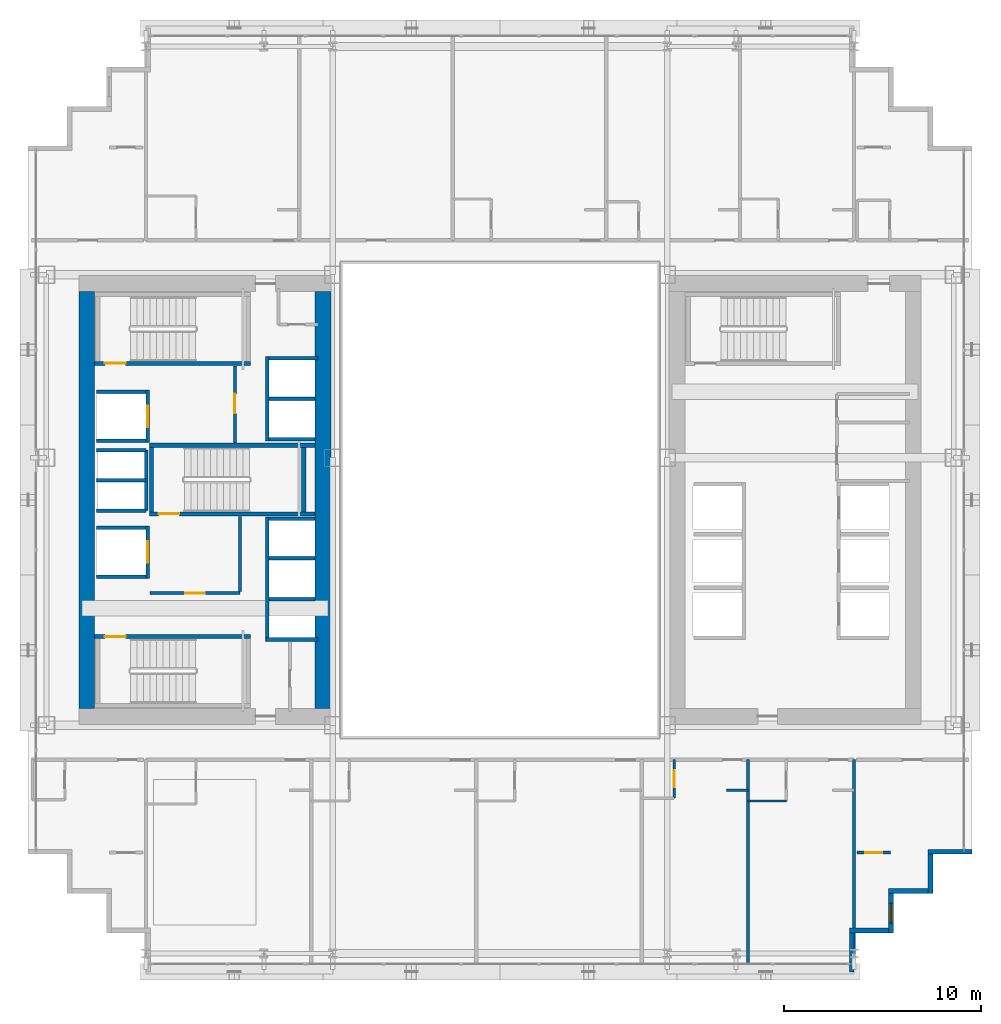
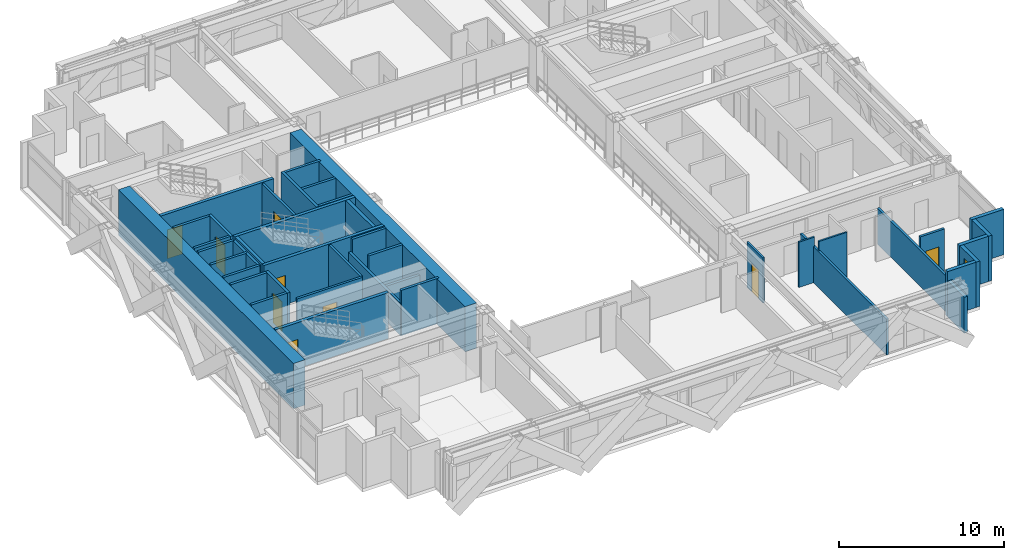
# One storey, part 28 of 35: 42 walls, 9 doors, 1 window, 10 openings.
"""IFC4 building model written with IfcOpenShell, lengths in metres."""

import ifcopenshell
import ifcopenshell.guid

model = None  # the IFC model being written
_history = None  # IfcOwnerHistory: only IFC2X3 demands one
_inside = {}  # id of a spatial element -> (the spatial element, [elements in it])
_under = {}  # id of a project, library or spatial element -> (it, [spatial elements below it])
_declared = {}  # id of a project -> (the project, [libraries it declares])
_typed = {}  # id of a type object -> (the type object, [elements of that type])
_made_of = {}  # id of a material, layer set ... -> (it, [elements and type objects made of it])


def new_model(schema):
    """Start an empty IFC model of exactly this schema.

    Asked for "IFC4X3", IfcOpenShell would pick the latest addendum, in which some entities
    have other attributes; the version numbers below select the first issue.
    IFC2X3 requires an IfcOwnerHistory on every rooted entity: one is made here for all.
    """
    global model, _history
    if schema == "IFC4X3":
        model = ifcopenshell.file(schema_version=(4, 3, 0, 0))
    else:
        model = ifcopenshell.file(schema=schema)
    _inside.clear()
    _under.clear()
    _declared.clear()
    _typed.clear()
    _made_of.clear()
    _history = None
    if model.schema == "IFC2X3":
        org = make("IfcOrganization", Name="unknown")
        user = make(
            "IfcPersonAndOrganization",
            ThePerson=make("IfcPerson", FamilyName="unknown"),
            TheOrganization=org,
        )
        app = make(
            "IfcApplication",
            ApplicationDeveloper=org,
            Version="unknown",
            ApplicationFullName="unknown",
            ApplicationIdentifier="unknown",
        )
        _history = make(
            "IfcOwnerHistory",
            OwningUser=user,
            OwningApplication=app,
            ChangeAction="ADDED",
            CreationDate=0,
        )
    return model


def make(cls, **values):
    """One entity of the class cls with the attributes given. An attribute that is None is left unset."""
    return model.create_entity(
        cls, **{name: value for name, value in values.items() if value is not None}
    )


def rooted(cls, **values):
    """An entity with a GlobalId (a new one), such as an element, a storey or a relation."""
    return make(cls, GlobalId=ifcopenshell.guid.new(), OwnerHistory=_history, **values)


def si_unit(unit_type, name, prefix=None):
    """IfcSIUnit, for example si_unit("LENGTHUNIT", "METRE", prefix="MILLI")."""
    return make("IfcSIUnit", UnitType=unit_type, Prefix=prefix, Name=name)


def assignment(units):
    """IfcUnitAssignment: the units of a project."""
    return None if units is None else make("IfcUnitAssignment", Units=units)


def point(xyz):
    """IfcCartesianPoint."""
    return None if xyz is None else make("IfcCartesianPoint", Coordinates=xyz)


def direction(xyz):
    """IfcDirection."""
    return None if xyz is None else make("IfcDirection", DirectionRatios=xyz)


def frame(location, z_axis=None, x_axis=None):
    """IfcAxis2Placement3D, a coordinate frame: its origin and axes. An axis left out is left unset."""
    return make(
        "IfcAxis2Placement3D",
        Location=point(location),
        Axis=direction(z_axis),
        RefDirection=direction(x_axis),
    )


def frame_2d(location, x_axis=None):
    """IfcAxis2Placement2D, a coordinate frame in the plane: its origin and x axis."""
    return make(
        "IfcAxis2Placement2D", Location=point(location), RefDirection=direction(x_axis)
    )


def origin():
    """The frame at (0, 0, 0) with its axes left unset."""
    return frame((0.0, 0.0, 0.0))


def place(relative_to, where):
    """IfcLocalPlacement: puts the frame where relative to a parent placement (None: the world)."""
    return make(
        "IfcLocalPlacement", PlacementRelTo=relative_to, RelativePlacement=where
    )


def context(
    kind, dimensions, precision=None, world=None, true_north=None, identifier=None
):
    """IfcGeometricRepresentationContext, for example the 3D "Model" context."""
    return make(
        "IfcGeometricRepresentationContext",
        ContextIdentifier=identifier,
        ContextType=kind,
        CoordinateSpaceDimension=dimensions,
        Precision=precision,
        WorldCoordinateSystem=world,
        TrueNorth=true_north,
    )


def subcontext(parent, identifier, kind, view, scale=None):
    """IfcGeometricRepresentationSubContext, for example "Body" below "Model"."""
    return make(
        "IfcGeometricRepresentationSubContext",
        ContextIdentifier=identifier,
        ContextType=kind,
        ParentContext=parent,
        TargetScale=scale,
        TargetView=view,
    )


def project(units=None, contexts=None):
    """IfcProject with its units and contexts."""
    return rooted(
        "IfcProject",
        Name="project",
        RepresentationContexts=contexts,
        UnitsInContext=assignment(units),
    )


def spatial(cls, under=None, at=None, **own):
    """A site, building, storey or space (cls), placed at a placement, below another one or the project."""
    s = rooted(cls, ObjectPlacement=at, **own)
    if under is not None:
        _under.setdefault(under.id(), (under, []))[1].append(s)
    return s


def profile(cls, at=None, kind="AREA", **sizes):
    """A parametric profile (cls). Its sizes go by their IFC names, for example OverallWidth=200.0."""
    return make(cls, ProfileType=kind, Position=at, **sizes)


def rectangle(**sizes):
    """IfcRectangleProfileDef."""
    return profile("IfcRectangleProfileDef", **sizes)


def extrude(swept, where, along, depth):
    """IfcExtrudedAreaSolid: the profile swept, set in the frame where, extruded along a direction by depth."""
    return make(
        "IfcExtrudedAreaSolid",
        SweptArea=swept,
        Position=where,
        ExtrudedDirection=direction(along),
        Depth=depth,
    )


def shape(context_of_items, identifier, shape_type, items):
    """IfcShapeRepresentation: the items that make up one representation, for example the "Body"."""
    return make(
        "IfcShapeRepresentation",
        ContextOfItems=context_of_items,
        RepresentationIdentifier=identifier,
        RepresentationType=shape_type,
        Items=items,
    )


def source(mapping_origin, context_of_items, identifier, shape_type, items):
    """IfcRepresentationMap: a shape defined once, which mapped items show again and again."""
    return make(
        "IfcRepresentationMap",
        MappingOrigin=mapping_origin,
        MappedRepresentation=shape(context_of_items, identifier, shape_type, items),
    )


def transform(
    local_origin,
    x_axis=None,
    y_axis=None,
    z_axis=None,
    scale=None,
    scale2=None,
    scale3=None,
    uniform=True,
):
    """IfcCartesianTransformationOperator3D, or its non-uniform kind. x_axis, y_axis, z_axis: its Axis1, 2, 3."""
    if uniform:
        return make(
            "IfcCartesianTransformationOperator3D",
            Axis1=direction(x_axis),
            Axis2=direction(y_axis),
            LocalOrigin=point(local_origin),
            Scale=scale,
            Axis3=direction(z_axis),
        )
    return make(
        "IfcCartesianTransformationOperator3DnonUniform",
        Axis1=direction(x_axis),
        Axis2=direction(y_axis),
        LocalOrigin=point(local_origin),
        Scale=scale,
        Axis3=direction(z_axis),
        Scale2=scale2,
        Scale3=scale3,
    )


def mapped(mapping_source, mapping_target):
    """IfcMappedItem: shows the shape of a source again, moved by a transform."""
    return make(
        "IfcMappedItem", MappingSource=mapping_source, MappingTarget=mapping_target
    )


def material(Name=None, Category=None):
    """IfcMaterial."""
    return make("IfcMaterial", Name=Name, Category=Category)


def layer(
    of_material, thickness, ventilated=None, Name=None, Category=None, Priority=None
):
    """IfcMaterialLayer: one layer of a wall or slab, of a material (None: an air gap)."""
    return make(
        "IfcMaterialLayer",
        Material=of_material,
        LayerThickness=thickness,
        IsVentilated=ventilated,
        Name=Name,
        Category=Category,
        Priority=Priority,
    )


def layer_set(layers, Name=None):
    """IfcMaterialLayerSet."""
    return make("IfcMaterialLayerSet", MaterialLayers=layers, LayerSetName=Name)


def made_of(thing, what):
    """Note that an element or type object is made of a material, layer set ...; save() writes the relation."""
    if what is not None:
        _made_of.setdefault(what.id(), (what, []))[1].append(thing)
    return thing


def type_object(cls, material=None, **own):
    """A type object (cls), such as IfcWallType, which elements share."""
    return made_of(rooted(cls, **own), material)


def element(
    cls,
    number,
    at=None,
    inside=None,
    cuts=None,
    type_object=None,
    material=None,
    context=None,
    identifier="Body",
    shape_type=None,
    held_by="IfcProductDefinitionShape",
    body=None,
    shapes=None,
    **own,
):
    """One element of the class cls, such as IfcWall. Its Tag is "e" and its number.

    at: its placement. inside: the storey or other place that contains it. cuts: it is an
    opening in that element (IfcRelVoidsElement). A single representation is given by context,
    identifier, shape_type and body (its items); several are given by shapes. held_by: the class
    of the entity that holds the representations. save() writes the other relations.
    """
    e = rooted(cls, Tag="e%d" % number, ObjectPlacement=at, **own)
    if body is not None:
        shapes = [shape(context, identifier, shape_type, body)]
    if shapes is not None:
        e.Representation = make(held_by, Representations=shapes)
    if inside is not None:
        _inside.setdefault(inside.id(), (inside, []))[1].append(e)
    if cuts is not None:
        rooted(
            "IfcRelVoidsElement", RelatingBuildingElement=cuts, RelatedOpeningElement=e
        )
    if type_object is not None:
        _typed.setdefault(type_object.id(), (type_object, []))[1].append(e)
    return made_of(e, material)


def fill(opening, filler):
    """IfcRelFillsElement: the door or window that sits in an opening."""
    return rooted(
        "IfcRelFillsElement",
        RelatingOpeningElement=opening,
        RelatedBuildingElement=filler,
    )


def aggregate(whole, parts):
    """IfcRelAggregates: a whole, such as a stair, and the parts it consists of."""
    return rooted("IfcRelAggregates", RelatingObject=whole, RelatedObjects=parts)


def save(model, path):
    """Write the relations noted so far, then the file.

    IfcRelAggregates (storeys below a building ...), IfcRelContainedInSpatialStructure (elements
    in a storey), IfcRelDefinesByType, IfcRelAssociatesMaterial and IfcRelDeclares: one each for
    every whole, place, type object, material and project.
    """
    for whole, parts in _under.values():
        aggregate(whole, parts)
    for where, things in _inside.values():
        rooted(
            "IfcRelContainedInSpatialStructure",
            RelatedElements=things,
            RelatingStructure=where,
        )
    for kind, things in _typed.values():
        rooted("IfcRelDefinesByType", RelatedObjects=things, RelatingType=kind)
    for what, things in _made_of.values():
        rooted("IfcRelAssociatesMaterial", RelatedObjects=things, RelatingMaterial=what)
    for by, libraries in _declared.values():
        rooted("IfcRelDeclares", RelatingContext=by, RelatedDefinitions=libraries)
    model.write(path)


model = new_model("IFC4")

# Units and contexts
model_context = context("Model", 3, precision=1e-05, world=origin(), true_north=direction((0.0, 1.0)))
body_context = subcontext(model_context, "Body", "Model", "MODEL_VIEW")
ifc_project = project(units=[si_unit("LENGTHUNIT", "METRE"), si_unit("AREAUNIT", "SQUARE_METRE"), si_unit("VOLUMEUNIT", "CUBIC_METRE"), si_unit("PLANEANGLEUNIT", "RADIAN"), si_unit("MASSUNIT", "GRAM", prefix="KILO")], contexts=[model_context])

# Site, building, storey
site_placement = place(None, origin())
site = spatial("IfcSite", under=ifc_project, at=site_placement, CompositionType="ELEMENT")
building_placement = place(site_placement, origin())
building = spatial("IfcBuilding", under=site, at=building_placement, Name="Ocotamira Hotel", CompositionType="ELEMENT")
storey_placement = place(building_placement, frame((0.0, 0.0, 63.60009765625)))
storey = spatial("IfcBuildingStorey", under=building, at=storey_placement, Name="L15", CompositionType="ELEMENT", Elevation=63.60009765625)

# Walls
ifc_material_1 = material(Name="Concrete C60/75", Category="concrete")
ifc_layer_1 = layer(ifc_material_1, 0.800048828125)
ifc_layer_set_1 = layer_set([ifc_layer_1], Name="Concrete C60/75")
wall_type_1 = type_object("IfcWallType", Name="WL-CORE-800", PredefinedType="SHEAR", material=ifc_layer_set_1)
for number, where, z_axis, x_axis, name in (
    (1, (11.0, 15.39990234375, 0.0), (0.0, 0.0, 1.0), (0.0, 1.0, 0.0), "L15 Shear Core Wall WCORE-W"),
    (2, (23.0, 15.39990234375, 0.0), (0.0, 0.0, 1.0), (0.0, 1.0, 0.0), "L15 Shear Core Wall WCORE-E"),
):
    element("IfcWall", number, at=place(storey_placement, frame(where, z_axis=z_axis, x_axis=x_axis)), inside=storey, type_object=wall_type_1, Name=name, PredefinedType="SHEAR", context=body_context, shape_type="SweptSolid", body=[
        extrude(rectangle(XDim=21.2001953125, YDim=0.800048828125, at=frame_2d((10.60009765625, 0.0))), origin(), (0.0, 0.0, 1.0), 3.349853515625),
    ])
ifc_material_2 = material(Name="Precast concrete C45/55", Category="concrete")
ifc_layer_2 = layer(ifc_material_2, 0.25)
ifc_layer_set_2 = layer_set([ifc_layer_2], Name="Precast concrete C45/55")
wall_type_2 = type_object("IfcWallType", Name="WL-EXT-SER-250", PredefinedType="SOLIDWALL", material=ifc_layer_set_2)
wall_1_placement = place(storey_placement, frame((49.875, 2.0, 0.0), z_axis=(0.0, 0.0, 1.0), x_axis=(0.0, 1.0, 0.0)))
element("IfcWall", 3, at=wall_1_placement, inside=storey, type_object=wall_type_2, Name="L15 Serrated Corner Wall 01", PredefinedType="SOLIDWALL", context=body_context, shape_type="SweptSolid", body=[
    extrude(rectangle(XDim=2.0, YDim=0.25, at=frame_2d((1.0, 0.0))), origin(), (0.0, 0.0, 1.0), 2.656982421875),
])
wall_2_placement = place(storey_placement, frame((49.75, 4.125, 0.0), z_axis=(0.0, 0.0, 1.0), x_axis=(1.0, 0.0, 0.0)))
element("IfcWall", 4, at=wall_2_placement, inside=storey, type_object=wall_type_2, Name="L15 Serrated Corner Wall 02", PredefinedType="SOLIDWALL", context=body_context, shape_type="SweptSolid", body=[
    extrude(rectangle(XDim=2.0, YDim=0.25, at=frame_2d((1.0, 0.0))), origin(), (0.0, 0.0, 1.0), 3.349853515625),
])

# Wall, opening, window
wall_3_placement = place(storey_placement, frame((51.875, 4.0, 0.0), z_axis=(0.0, 0.0, 1.0), x_axis=(0.0, 1.0, 0.0)))
wall_3 = element("IfcWall", 5, at=wall_3_placement, inside=storey, type_object=wall_type_2, Name="L15 Serrated Corner Wall 03", PredefinedType="SOLIDWALL", context=body_context, shape_type="SweptSolid", body=[
    extrude(rectangle(XDim=2.0, YDim=0.25, at=frame_2d((1.0, 0.0))), origin(), (0.0, 0.0, 1.0), 3.349853515625),
])
opening_1_placement = place(wall_3_placement, frame((0.5, 0.0, 0.85009765625)))
opening_1 = element("IfcOpeningElement", 6, at=opening_1_placement, cuts=wall_3, Name="Opening WN-2", PredefinedType="OPENING", context=body_context, shape_type="SweptSolid", body=[
    extrude(rectangle(XDim=1.0, YDim=1.89990234375, at=frame_2d((0.5, 0.949951171875))), frame((0.0, 0.135009765625, 0.0), z_axis=(0.0, -1.0, 0.0), x_axis=(1.0, 0.0, 0.0)), (0.0, 0.0, 1.0), 0.27001953125),
])
ifc_material_3 = material(Name="Double-silver low-E solar glass", Category="glass")
window_type = type_object("IfcWindowType", Name="WIN-SER-1100", PartitioningType="SINGLE_PANEL", PredefinedType="WINDOW", material=ifc_material_3)
shared_shape_1 = source(origin(), body_context, "Body", "SweptSolid", [
    extrude(rectangle(XDim=1.0, YDim=1.89990234375, at=frame_2d((0.5, 0.949951171875))), frame((0.0, 0.030029296875, 0.0), z_axis=(0.0, -1.0, 0.0), x_axis=(1.0, 0.0, 0.0)), (0.0, 0.0, 1.0), 0.06005859375),
])
window_placement = place(opening_1_placement, origin())
window = element("IfcWindow", 7, at=window_placement, inside=storey, type_object=window_type, Name="L15 Serrated Corner Window 03", OverallHeight=1.89990234375, OverallWidth=1.0, PartitioningType="SINGLE_PANEL", PredefinedType="WINDOW", context=body_context, shape_type="MappedRepresentation", body=[
    mapped(shared_shape_1, transform((0.0, 0.0, 0.0), scale=1.0)),
])
fill(opening_1, window)

# Walls
for number, where, z_axis, x_axis, name in (
    (8, (51.75, 6.125, 0.0), (0.0, 0.0, 1.0), (1.0, 0.0, 0.0), "L15 Serrated Corner Wall 04"),
    (9, (53.875, 6.0, 0.0), (0.0, 0.0, 1.0), (0.0, 1.0, 0.0), "L15 Serrated Corner Wall 05"),
):
    element("IfcWall", number, at=place(storey_placement, frame(where, z_axis=z_axis, x_axis=x_axis)), inside=storey, type_object=wall_type_2, Name=name, PredefinedType="SOLIDWALL", context=body_context, shape_type="SweptSolid", body=[
        extrude(rectangle(XDim=2.0, YDim=0.25, at=frame_2d((1.0, 0.0))), origin(), (0.0, 0.0, 1.0), 3.349853515625),
    ])
wall_4_placement = place(storey_placement, frame((53.75, 8.125, 0.0), z_axis=(0.0, 0.0, 1.0), x_axis=(1.0, 0.0, 0.0)))
element("IfcWall", 10, at=wall_4_placement, inside=storey, type_object=wall_type_2, Name="L15 Serrated Corner Wall 06", PredefinedType="SOLIDWALL", context=body_context, shape_type="SweptSolid", body=[
    extrude(rectangle(XDim=2.25, YDim=0.25, at=frame_2d((1.125, 0.0))), origin(), (0.0, 0.0, 1.0), 3.349853515625),
])

# Wall, opening, door
ifc_material_4 = material(Name="Acoustic double-layer fire gypsum board partition", Category="gypsum")
ifc_layer_3 = layer(ifc_material_4, 0.159912109375)
ifc_layer_set_3 = layer_set([ifc_layer_3], Name="Acoustic double-layer fire gypsum board partition")
wall_type_3 = type_object("IfcWallType", Name="WL-FIRE-160", PredefinedType="PARTITIONING", material=ifc_layer_set_3)
wall_5_placement = place(storey_placement, frame((14.199951171875, 21.27001953125, 0.0), z_axis=(0.0, 0.0, 1.0), x_axis=(1.0, 0.0, 0.0)))
wall_5 = element("IfcWall", 11, at=wall_5_placement, inside=storey, type_object=wall_type_3, Name="L15 Interior Wall PW-L15-FSAE1-S", PredefinedType="PARTITIONING", context=body_context, shape_type="SweptSolid", body=[
    extrude(rectangle(XDim=4.580078125, YDim=0.159912109375, at=frame_2d((2.2900390625, 0.0))), origin(), (0.0, 0.0, 1.0), 3.349853515625),
])
opening_2_placement = place(wall_5_placement, frame((1.800048828125, 0.0, 0.0)))
opening_2 = element("IfcOpeningElement", 12, at=opening_2_placement, cuts=wall_5, Name="Opening D-FR2", PredefinedType="OPENING", context=body_context, shape_type="SweptSolid", body=[
    extrude(rectangle(XDim=1.0, YDim=2.14990234375, at=frame_2d((0.5, 1.074951171875))), frame((0.0, 0.08984375, 0.0), z_axis=(0.0, -1.0, 0.0), x_axis=(1.0, 0.0, 0.0)), (0.0, 0.0, 1.0), 0.179931640625),
])
ifc_material_5 = material(Name="Fire-rated acoustic timber-veneer door", Category="wood")
door_type_1 = type_object("IfcDoorType", Name="DR-FIRE-1000", OperationType="NOTDEFINED", PredefinedType="DOOR", material=ifc_material_5)
shared_shape_2 = source(origin(), body_context, "Body", "SweptSolid", [
    extrude(rectangle(XDim=1.0, YDim=2.14990234375, at=frame_2d((0.5, 1.074951171875))), frame((0.0, 0.02490234375, 0.0), z_axis=(0.0, -1.0, 0.0), x_axis=(1.0, 0.0, 0.0)), (0.0, 0.0, 1.0), 0.050048828125),
])
door_1_placement = place(opening_2_placement, origin())
door_1 = element("IfcDoor", 13, at=door_1_placement, inside=storey, type_object=door_type_1, Name="L15 Door ID-L15-FSAE1-D [ID-L15-FSAE1-D]", OperationType="SINGLE_SWING_LEFT", OverallHeight=2.14990234375, OverallWidth=1.0, PredefinedType="DOOR", context=body_context, shape_type="MappedRepresentation", body=[
    mapped(shared_shape_2, transform((0.0, 0.0, 0.0), scale=1.0)),
])
fill(opening_2, door_1)

# Wall
wall_6_placement = place(storey_placement, frame((18.780029296875, 21.35009765625, 0.0), z_axis=(0.0, 0.0, 1.0), x_axis=(0.0, 1.0, 0.0)))
element("IfcWall", 14, at=wall_6_placement, inside=storey, type_object=wall_type_3, Name="L15 Interior Wall PW-L15-FSAE1-E", PredefinedType="PARTITIONING", context=body_context, shape_type="SweptSolid", body=[
    extrude(rectangle(XDim=3.809814453125, YDim=0.159912109375, at=frame_2d((1.90478515625, 0.0))), origin(), (0.0, 0.0, 1.0), 3.349853515625),
])

# Wall, opening, door
wall_7_placement = place(storey_placement, frame((18.530029296875, 28.89990234375, 0.0), z_axis=(0.0, 0.0, 1.0), x_axis=(0.0, 1.0, 0.0)))
wall_7 = element("IfcWall", 15, at=wall_7_placement, inside=storey, type_object=wall_type_3, Name="L15 Interior Wall PW-L15-FSAE2-E", PredefinedType="PARTITIONING", context=body_context, shape_type="SweptSolid", body=[
    extrude(rectangle(XDim=3.900146484375, YDim=0.159912109375, at=frame_2d((1.9501953125, 0.0))), origin(), (0.0, 0.0, 1.0), 3.349853515625),
])
opening_3_placement = place(wall_7_placement, frame((1.5, 0.0, 0.0)))
opening_3 = element("IfcOpeningElement", 16, at=opening_3_placement, cuts=wall_7, Name="Opening D-FR2", PredefinedType="OPENING", context=body_context, shape_type="SweptSolid", body=[
    extrude(rectangle(XDim=1.0, YDim=2.14990234375, at=frame_2d((0.5, 1.074951171875))), frame((0.0, 0.08984375, 0.0), z_axis=(0.0, -1.0, 0.0), x_axis=(1.0, 0.0, 0.0)), (0.0, 0.0, 1.0), 0.179931640625),
])
door_2_placement = place(opening_3_placement, origin())
door_2 = element("IfcDoor", 17, at=door_2_placement, inside=storey, type_object=door_type_1, Name="L15 Door ID-L15-FSAE2-D [ID-L15-FSAE2-D]", OperationType="SINGLE_SWING_RIGHT", OverallHeight=2.14990234375, OverallWidth=1.0, PredefinedType="DOOR", context=body_context, shape_type="MappedRepresentation", body=[
    mapped(shared_shape_2, transform((0.0, 0.0, 0.0), scale=1.0)),
])
fill(opening_3, door_2)

wall_8_placement = place(storey_placement, frame((50.14990234375, 8.080078125, 0.0), z_axis=(0.0, 0.0, 1.0), x_axis=(1.0, 0.0, 0.0)))
wall_8 = element("IfcWall", 18, at=wall_8_placement, inside=storey, type_object=wall_type_3, Name="L15 Interior Wall PW-L15-Z1C-CSE2-CW", PredefinedType="PARTITIONING", context=body_context, shape_type="SweptSolid", body=[
    extrude(rectangle(XDim=1.7001953125, YDim=0.159912109375, at=frame_2d((0.85009765625, 0.0))), origin(), (0.0, 0.0, 1.0), 3.349853515625),
])
opening_4_placement = place(wall_8_placement, frame((0.409912109375, 0.0, 0.0)))
opening_4 = element("IfcOpeningElement", 19, at=opening_4_placement, cuts=wall_8, Name="Opening D-SV2", PredefinedType="OPENING", context=body_context, shape_type="SweptSolid", body=[
    extrude(rectangle(XDim=0.8798828125, YDim=2.14990234375, at=frame_2d((0.43994140625, 1.074951171875))), frame((0.0, 0.08984375, 0.0), z_axis=(0.0, -1.0, 0.0), x_axis=(1.0, 0.0, 0.0)), (0.0, 0.0, 1.0), 0.179931640625),
])
ifc_material_6 = material(Name="Fire-rated painted steel service door", Category="steel")
door_type_2 = type_object("IfcDoorType", Name="DR-SERV-880", OperationType="NOTDEFINED", PredefinedType="DOOR", material=ifc_material_6)
shared_shape_3 = source(origin(), body_context, "Body", "SweptSolid", [
    extrude(rectangle(XDim=0.8798828125, YDim=2.14990234375, at=frame_2d((0.43994140625, 1.074951171875))), frame((0.0, 0.02490234375, 0.0), z_axis=(0.0, -1.0, 0.0), x_axis=(1.0, 0.0, 0.0)), (0.0, 0.0, 1.0), 0.050048828125),
])
door_3_placement = place(opening_4_placement, origin())
door_3 = element("IfcDoor", 20, at=door_3_placement, inside=storey, type_object=door_type_2, Name="L15 Door ID-L15-Z1C-CSE2-CD [ID-L15-Z1C-CSE2-CD]", OperationType="SINGLE_SWING_LEFT", OverallHeight=2.14990234375, OverallWidth=0.8798828125, PredefinedType="DOOR", context=body_context, shape_type="MappedRepresentation", body=[
    mapped(shared_shape_3, transform((0.0, 0.0, 0.0), scale=1.0)),
])
fill(opening_4, door_3)

ifc_material_7 = material(Name="Moisture-resistant en-suite tile and gypsum partition", Category="gypsum")
ifc_layer_4 = layer(ifc_material_7, 0.1201171875)
ifc_layer_set_4 = layer_set([ifc_layer_4], Name="Moisture-resistant en-suite tile and gypsum partition")
wall_type_4 = type_object("IfcWallType", Name="WL-PART-120", PredefinedType="PARTITIONING", material=ifc_layer_set_4)
wall_9_placement = place(storey_placement, frame((40.85009765625, 10.85009765625, 0.0), z_axis=(0.0, 0.0, 1.0), x_axis=(0.0, 1.0, 0.0)))
wall_9 = element("IfcWall", 21, at=wall_9_placement, inside=storey, type_object=wall_type_4, Name="L15 Interior Wall PW-L15-Z1CS-BAE4", PredefinedType="PARTITIONING", context=body_context, shape_type="SweptSolid", body=[
    extrude(rectangle(XDim=1.949951171875, YDim=0.1201171875, at=frame_2d((0.97509765625, 0.0))), origin(), (0.0, 0.0, 1.0), 3.349853515625),
])
opening_5_placement = place(wall_9_placement, frame((0.544921875, 0.0, 0.0)))
opening_5 = element("IfcOpeningElement", 22, at=opening_5_placement, cuts=wall_9, Name="Opening D-BA1", PredefinedType="OPENING", context=body_context, shape_type="SweptSolid", body=[
    extrude(rectangle(XDim=0.860107421875, YDim=2.10009765625, at=frame_2d((0.43017578125, 1.050048828125))), frame((0.0, 0.070068359375, 0.0), z_axis=(0.0, -1.0, 0.0), x_axis=(1.0, 0.0, 0.0)), (0.0, 0.0, 1.0), 0.14013671875),
])
ifc_material_8 = material(Name="Moisture-sealed en-suite timber door", Category="wood")
door_type_3 = type_object("IfcDoorType", Name="DR-BATH-860", OperationType="NOTDEFINED", PredefinedType="DOOR", material=ifc_material_8)
shared_shape_4 = source(origin(), body_context, "Body", "SweptSolid", [
    extrude(rectangle(XDim=0.860107421875, YDim=2.10009765625, at=frame_2d((0.43017578125, 1.050048828125))), frame((0.0, 0.02490234375, 0.0), z_axis=(0.0, -1.0, 0.0), x_axis=(1.0, 0.0, 0.0)), (0.0, 0.0, 1.0), 0.050048828125),
])
door_4_placement = place(opening_5_placement, origin())
door_4 = element("IfcDoor", 23, at=door_4_placement, inside=storey, type_object=door_type_3, Name="L15 Door ID-L15-Z1CS-BAD4 [ID-L15-Z1CS-BAD4]", OperationType="SINGLE_SWING_LEFT", OverallHeight=2.10009765625, OverallWidth=0.860107421875, PredefinedType="DOOR", context=body_context, shape_type="MappedRepresentation", body=[
    mapped(shared_shape_4, transform((0.0, 0.0, 0.0), scale=1.0)),
])
fill(opening_5, door_4)

# Walls
wall_10_placement = place(storey_placement, frame((43.5, 11.25, 0.0), z_axis=(0.0, 0.0, 1.0), x_axis=(1.0, 0.0, 0.0)))
element("IfcWall", 24, at=wall_10_placement, inside=storey, type_object=wall_type_4, Name="L15 Interior Wall PW-L15-Z1CS-DRN4", PredefinedType="PARTITIONING", context=body_context, shape_type="SweptSolid", body=[
    extrude(rectangle(XDim=1.10009765625, YDim=0.1201171875, at=frame_2d((0.550048828125, 0.0))), origin(), (0.0, 0.0, 1.0), 3.349853515625),
])
wall_11_placement = place(storey_placement, frame((44.60009765625, 10.699951171875, 0.0), z_axis=(0.0, 0.0, 1.0), x_axis=(1.0, 0.0, 0.0)))
element("IfcWall", 25, at=wall_11_placement, inside=storey, type_object=wall_type_4, Name="L15 Interior Wall PW-L15-Z1CS-BAS5", PredefinedType="PARTITIONING", context=body_context, shape_type="SweptSolid", body=[
    extrude(rectangle(XDim=1.949951171875, YDim=0.1201171875, at=frame_2d((0.97509765625, 0.0))), origin(), (0.0, 0.0, 1.0), 3.349853515625),
])
ifc_material_9 = material(Name="Acoustic double-stud hospitality gypsum partition", Category="gypsum")
ifc_layer_5 = layer(ifc_material_9, 0.159912109375)
ifc_layer_set_5 = layer_set([ifc_layer_5], Name="Acoustic double-stud hospitality gypsum partition")
wall_type_5 = type_object("IfcWallType", Name="WL-PART-160", PredefinedType="PARTITIONING", material=ifc_layer_set_5)
for number, where, z_axis, x_axis, name in (
    (26, (50.0, 2.360107421875, 0.0), (0.0, 0.0, 1.0), (0.0, 1.0, 0.0), "L15 Interior Wall PW-L15-Z1CS-PWEND"),
    (27, (44.60009765625, 2.360107421875, 0.0), (0.0, 0.0, 1.0), (0.0, 1.0, 0.0), "L15 Interior Wall PW-L15-Z1CS-PW4"),
):
    element("IfcWall", number, at=place(storey_placement, frame(where, z_axis=z_axis, x_axis=x_axis)), inside=storey, type_object=wall_type_5, Name=name, PredefinedType="PARTITIONING", context=body_context, shape_type="SweptSolid", body=[
        extrude(rectangle(XDim=10.43994140625, YDim=0.159912109375, at=frame_2d((5.219970703125, 0.0))), origin(), (0.0, 0.0, 1.0), 2.656982421875),
    ])
ifc_material_10 = material(Name="Fire-rated gypsum shaftliner board assembly", Category="gypsum")
ifc_layer_6 = layer(ifc_material_10, 0.179931640625)
ifc_layer_set_6 = layer_set([ifc_layer_6], Name="Fire-rated gypsum shaftliner board assembly")
wall_type_6 = type_object("IfcWallType", Name="WL-SHAFT-180", PredefinedType="SOLIDWALL", material=ifc_layer_set_6)
wall_12_placement = place(storey_placement, frame((20.159912109375, 18.820068359375, 0.0), z_axis=(0.0, 0.0, 1.0), x_axis=(0.0, 1.0, 0.0)))
element("IfcWall", 28, at=wall_12_placement, inside=storey, type_object=wall_type_6, Name="L15 Interior Wall PW-L15-LFW-BANK-high-F", PredefinedType="SOLIDWALL", context=body_context, shape_type="SweptSolid", body=[
    extrude(rectangle(XDim=6.31982421875, YDim=0.179931640625, at=frame_2d((3.159912109375, 0.0))), origin(), (0.0, 0.0, 1.0), 2.35986328125),
])
wall_13_placement = place(storey_placement, frame((20.1201171875, 18.909912109375, 0.0), z_axis=(0.0, 0.0, 1.0), x_axis=(1.0, 0.0, 0.0)))
element("IfcWall", 29, at=wall_13_placement, inside=storey, type_object=wall_type_6, Name="L15 Interior Wall PW-L15-LFW-BANK-high-S", PredefinedType="SOLIDWALL", context=body_context, shape_type="SweptSolid", body=[
    extrude(rectangle(XDim=2.6298828125, YDim=0.179931640625, at=frame_2d((1.31494140625, 0.0))), origin(), (0.0, 0.0, 1.0), 3.349853515625),
])
wall_14_placement = place(storey_placement, frame((20.25, 25.050048828125, 0.0), z_axis=(0.0, 0.0, 1.0), x_axis=(1.0, 0.0, 0.0)))
element("IfcWall", 30, at=wall_14_placement, inside=storey, type_object=wall_type_6, Name="L15 Interior Wall PW-L15-LFW-BANK-high-N", PredefinedType="SOLIDWALL", context=body_context, shape_type="SweptSolid", body=[
    extrude(rectangle(XDim=2.360107421875, YDim=0.179931640625, at=frame_2d((1.18017578125, 0.0))), origin(), (0.0, 0.0, 1.0), 3.349853515625),
])
wall_15_placement = place(storey_placement, frame((20.25, 20.965087890625, 0.0), z_axis=(0.0, 0.0, 1.0), x_axis=(1.0, 0.0, 0.0)))
element("IfcWall", 31, at=wall_15_placement, inside=storey, type_object=wall_type_6, Name="L15 Interior Wall PW-L15-LFW-DIV-LF-P7", PredefinedType="SOLIDWALL", context=body_context, shape_type="SweptSolid", body=[
    extrude(rectangle(XDim=2.360107421875, YDim=0.179931640625, at=frame_2d((1.18017578125, 0.0))), origin(), (0.0, 0.0, 1.0), 2.35986328125),
])
wall_16_placement = place(storey_placement, frame((20.25, 23.044921875, 0.0), z_axis=(0.0, 0.0, 1.0), x_axis=(1.0, 0.0, 0.0)))
element("IfcWall", 32, at=wall_16_placement, inside=storey, type_object=wall_type_6, Name="L15 Interior Wall PW-L15-LFW-DIV-LF-P8", PredefinedType="SOLIDWALL", context=body_context, shape_type="SweptSolid", body=[
    extrude(rectangle(XDim=2.360107421875, YDim=0.179931640625, at=frame_2d((1.18017578125, 0.0))), origin(), (0.0, 0.0, 1.0), 3.349853515625),
])
wall_17_placement = place(storey_placement, frame((20.159912109375, 29.0, 0.0), z_axis=(0.0, 0.0, 1.0), x_axis=(0.0, 1.0, 0.0)))
element("IfcWall", 33, at=wall_17_placement, inside=storey, type_object=wall_type_6, Name="L15 Interior Wall PW-L15-LFW-BANK-obs-F", PredefinedType="SOLIDWALL", context=body_context, shape_type="SweptSolid", body=[
    extrude(rectangle(XDim=4.2900390625, YDim=0.179931640625, at=frame_2d((2.14501953125, 0.0))), origin(), (0.0, 0.0, 1.0), 3.349853515625),
])
wall_18_placement = place(storey_placement, frame((20.25, 29.090087890625, 0.0), z_axis=(0.0, 0.0, 1.0), x_axis=(1.0, 0.0, 0.0)))
element("IfcWall", 34, at=wall_18_placement, inside=storey, type_object=wall_type_6, Name="L15 Interior Wall PW-L15-LFW-BANK-obs-S", PredefinedType="SOLIDWALL", context=body_context, shape_type="SweptSolid", body=[
    extrude(rectangle(XDim=2.360107421875, YDim=0.179931640625, at=frame_2d((1.18017578125, 0.0))), origin(), (0.0, 0.0, 1.0), 3.349853515625),
])
wall_19_placement = place(storey_placement, frame((20.25, 33.199951171875, 0.0), z_axis=(0.0, 0.0, 1.0), x_axis=(1.0, 0.0, 0.0)))
element("IfcWall", 35, at=wall_19_placement, inside=storey, type_object=wall_type_6, Name="L15 Interior Wall PW-L15-LFW-BANK-obs-N", PredefinedType="SOLIDWALL", context=body_context, shape_type="SweptSolid", body=[
    extrude(rectangle(XDim=2.5, YDim=0.179931640625, at=frame_2d((1.25, 0.0))), origin(), (0.0, 0.0, 1.0), 3.349853515625),
])
wall_20_placement = place(storey_placement, frame((20.25, 31.14501953125, 0.0), z_axis=(0.0, 0.0, 1.0), x_axis=(1.0, 0.0, 0.0)))
element("IfcWall", 36, at=wall_20_placement, inside=storey, type_object=wall_type_6, Name="L15 Interior Wall PW-L15-LFW-DIV-LF-OBS1", PredefinedType="SOLIDWALL", context=body_context, shape_type="SweptSolid", body=[
    extrude(rectangle(XDim=2.360107421875, YDim=0.179931640625, at=frame_2d((1.18017578125, 0.0))), origin(), (0.0, 0.0, 1.0), 3.349853515625),
])
for number, where, z_axis, x_axis, name in (
    (37, (11.5, 22.110107421875, 0.0), (0.0, 0.0, 1.0), (1.0, 0.0, 0.0), "L15 Interior Wall PW-L15-LFW-LF-FSAE1-S"),
    (38, (11.5, 24.590087890625, 0.0), (0.0, 0.0, 1.0), (1.0, 0.0, 0.0), "L15 Interior Wall PW-L15-LFW-LF-FSAE1-N"),
):
    element("IfcWall", number, at=place(storey_placement, frame(where, z_axis=z_axis, x_axis=x_axis)), inside=storey, type_object=wall_type_6, Name=name, PredefinedType="SOLIDWALL", context=body_context, shape_type="SweptSolid", body=[
        extrude(rectangle(XDim=2.5, YDim=0.179931640625, at=frame_2d((1.25, 0.0))), origin(), (0.0, 0.0, 1.0), 3.349853515625),
    ])

# Wall, opening, door
wall_21_placement = place(storey_placement, frame((14.090087890625, 22.02001953125, 0.0), z_axis=(0.0, 0.0, 1.0), x_axis=(0.0, 1.0, 0.0)))
wall_21 = element("IfcWall", 39, at=wall_21_placement, inside=storey, type_object=wall_type_6, Name="L15 Interior Wall PW-L15-LFW-LF-FSAE1-E", PredefinedType="SOLIDWALL", context=body_context, shape_type="SweptSolid", body=[
    extrude(rectangle(XDim=2.659912109375, YDim=0.179931640625, at=frame_2d((1.330078125, 0.0))), origin(), (0.0, 0.0, 1.0), 3.349853515625),
])
opening_6_placement = place(wall_21_placement, frame((0.780029296875, 0.0, 0.0)))
opening_6 = element("IfcOpeningElement", 40, at=opening_6_placement, cuts=wall_21, Name="Opening LD-LF-FSAE1", PredefinedType="OPENING", context=body_context, shape_type="SweptSolid", body=[
    extrude(rectangle(XDim=1.10009765625, YDim=2.199951171875, at=frame_2d((0.550048828125, 1.10009765625))), frame((0.0, 0.10009765625, 0.0), z_axis=(0.0, -1.0, 0.0), x_axis=(1.0, 0.0, 0.0)), (0.0, 0.0, 1.0), 0.199951171875),
])
ifc_material_11 = material(Name="Brushed pale-metal stainless elevator landing door", Category="steel")
door_type_4 = type_object("IfcDoorType", Name="DR-LIFT-1100", OperationType="NOTDEFINED", PredefinedType="DOOR", material=ifc_material_11)
shared_shape_5 = source(origin(), body_context, "Body", "SweptSolid", [
    extrude(rectangle(XDim=1.10009765625, YDim=2.199951171875, at=frame_2d((0.550048828125, 1.10009765625))), frame((0.0, 0.02490234375, 0.0), z_axis=(0.0, -1.0, 0.0), x_axis=(1.0, 0.0, 0.0)), (0.0, 0.0, 1.0), 0.050048828125),
])
door_5_placement = place(opening_6_placement, origin())
door_5 = element("IfcDoor", 41, at=door_5_placement, inside=storey, type_object=door_type_4, Name="L15 Landing Door LD-LF-FSAE1 [ID-L15-LD-LF-FSAE1]", OperationType="DOUBLE_DOOR_SLIDING", OverallHeight=2.199951171875, OverallWidth=1.10009765625, PredefinedType="DOOR", context=body_context, shape_type="MappedRepresentation", body=[
    mapped(shared_shape_5, transform((0.0, 0.0, 0.0), scale=1.0)),
])
fill(opening_6, door_5)

# Walls
for number, where, z_axis, x_axis, name in (
    (42, (11.5, 29.010009765625, 0.0), (0.0, 0.0, 1.0), (1.0, 0.0, 0.0), "L15 Interior Wall PW-L15-LFW-LF-FSAE2-S"),
    (43, (11.5, 31.489990234375, 0.0), (0.0, 0.0, 1.0), (1.0, 0.0, 0.0), "L15 Interior Wall PW-L15-LFW-LF-FSAE2-N"),
):
    element("IfcWall", number, at=place(storey_placement, frame(where, z_axis=z_axis, x_axis=x_axis)), inside=storey, type_object=wall_type_6, Name=name, PredefinedType="SOLIDWALL", context=body_context, shape_type="SweptSolid", body=[
        extrude(rectangle(XDim=2.5, YDim=0.179931640625, at=frame_2d((1.25, 0.0))), origin(), (0.0, 0.0, 1.0), 3.349853515625),
    ])

# Wall, opening, door
wall_22_placement = place(storey_placement, frame((14.090087890625, 28.919921875, 0.0), z_axis=(0.0, 0.0, 1.0), x_axis=(0.0, 1.0, 0.0)))
wall_22 = element("IfcWall", 44, at=wall_22_placement, inside=storey, type_object=wall_type_6, Name="L15 Interior Wall PW-L15-LFW-LF-FSAE2-E", PredefinedType="SOLIDWALL", context=body_context, shape_type="SweptSolid", body=[
    extrude(rectangle(XDim=2.66015625, YDim=0.179931640625, at=frame_2d((1.330078125, 0.0))), origin(), (0.0, 0.0, 1.0), 3.349853515625),
])
opening_7_placement = place(wall_22_placement, frame((0.780029296875, 0.0, 0.0)))
opening_7 = element("IfcOpeningElement", 45, at=opening_7_placement, cuts=wall_22, Name="Opening LD-LF-FSAE2", PredefinedType="OPENING", context=body_context, shape_type="SweptSolid", body=[
    extrude(rectangle(XDim=1.10009765625, YDim=2.199951171875, at=frame_2d((0.550048828125, 1.10009765625))), frame((0.0, 0.10009765625, 0.0), z_axis=(0.0, -1.0, 0.0), x_axis=(1.0, 0.0, 0.0)), (0.0, 0.0, 1.0), 0.199951171875),
])
door_6_placement = place(opening_7_placement, origin())
door_6 = element("IfcDoor", 46, at=door_6_placement, inside=storey, type_object=door_type_4, Name="L15 Landing Door LD-LF-FSAE2 [ID-L15-LD-LF-FSAE2]", OperationType="DOUBLE_DOOR_SLIDING", OverallHeight=2.199951171875, OverallWidth=1.10009765625, PredefinedType="DOOR", context=body_context, shape_type="MappedRepresentation", body=[
    mapped(shared_shape_5, transform((0.0, 0.0, 0.0), scale=1.0)),
])
fill(opening_7, door_6)

# Walls
for number, where, z_axis, x_axis, name in (
    (47, (11.5, 25.4599609375, 0.0), (0.0, 0.0, 1.0), (1.0, 0.0, 0.0), "L15 Interior Wall PW-L15-RSW-S"),
    (48, (11.5, 27.0, 0.0), (0.0, 0.0, 1.0), (1.0, 0.0, 0.0), "L15 Interior Wall PW-L15-RSW-MID"),
    (49, (11.5, 28.5400390625, 0.0), (0.0, 0.0, 1.0), (1.0, 0.0, 0.0), "L15 Interior Wall PW-L15-RSW-N"),
):
    element("IfcWall", number, at=place(storey_placement, frame(where, z_axis=z_axis, x_axis=x_axis)), inside=storey, type_object=wall_type_6, Name=name, PredefinedType="SOLIDWALL", context=body_context, shape_type="SweptSolid", body=[
        extrude(rectangle(XDim=2.510009765625, YDim=0.179931640625, at=frame_2d((1.2548828125, 0.0))), origin(), (0.0, 0.0, 1.0), 3.349853515625),
    ])
wall_23_placement = place(storey_placement, frame((14.010009765625, 25.4599609375, 0.0), z_axis=(0.0, 0.0, 1.0), x_axis=(0.0, 1.0, 0.0)))
element("IfcWall", 50, at=wall_23_placement, inside=storey, type_object=wall_type_6, Name="L15 Interior Wall PW-L15-RSW-E", PredefinedType="SOLIDWALL", context=body_context, shape_type="SweptSolid", body=[
    extrude(rectangle(XDim=3.080078125, YDim=0.179931640625, at=frame_2d((1.5400390625, 0.0))), origin(), (0.0, 0.0, 1.0), 3.349853515625),
])

# Wall, opening, door
ifc_material_12 = material(Name="Concrete C50/60", Category="concrete")
ifc_layer_7 = layer(ifc_material_12, 0.219970703125)
ifc_layer_set_7 = layer_set([ifc_layer_7], Name="Concrete C50/60")
wall_type_7 = type_object("IfcWallType", Name="WL-STAIR-220", PredefinedType="SHEAR", material=ifc_layer_set_7)
wall_24_placement = place(storey_placement, frame((11.39990234375, 19.06005859375, 0.0), z_axis=(0.0, 0.0, 1.0), x_axis=(1.0, 0.0, 0.0)))
wall_24 = element("IfcWall", 51, at=wall_24_placement, inside=storey, type_object=wall_type_7, Name="L15 Stair Shaft Structural Wall ST-1-N", PredefinedType="SHEAR", context=body_context, shape_type="SweptSolid", body=[
    extrude(rectangle(XDim=7.91015625, YDim=0.219970703125, at=frame_2d((3.955078125, 0.0))), origin(), (0.0, 0.0, 1.0), 3.39990234375),
])
opening_8_placement = place(wall_24_placement, frame((0.52001953125, 0.0, 0.0)))
opening_8 = element("IfcOpeningElement", 52, at=opening_8_placement, cuts=wall_24, Name="Opening D-ST2", PredefinedType="OPENING", context=body_context, shape_type="SweptSolid", body=[
    extrude(rectangle(XDim=1.050048828125, YDim=2.14990234375, at=frame_2d((0.52490234375, 1.074951171875))), frame((0.0, 0.1201171875, 0.0), z_axis=(0.0, -1.0, 0.0), x_axis=(1.0, 0.0, 0.0)), (0.0, 0.0, 1.0), 0.239990234375),
])
ifc_material_13 = material(Name="Insulated painted hollow-metal fire exit door", Category="steel")
door_type_5 = type_object("IfcDoorType", Name="DR-STAIR-1050", OperationType="NOTDEFINED", PredefinedType="DOOR", material=ifc_material_13)
shared_shape_6 = source(origin(), body_context, "Body", "SweptSolid", [
    extrude(rectangle(XDim=1.050048828125, YDim=2.14990234375, at=frame_2d((0.52490234375, 1.074951171875))), frame((0.0, 0.02490234375, 0.0), z_axis=(0.0, -1.0, 0.0), x_axis=(1.0, 0.0, 0.0)), (0.0, 0.0, 1.0), 0.050048828125),
])
door_7_placement = place(opening_8_placement, origin())
door_7 = element("IfcDoor", 53, at=door_7_placement, inside=storey, type_object=door_type_5, Name="L15 Door ID-L15-STD-ST-1 [ID-L15-STD-ST-1]", OperationType="SINGLE_SWING_RIGHT", OverallHeight=2.14990234375, OverallWidth=1.050048828125, PredefinedType="DOOR", context=body_context, shape_type="MappedRepresentation", body=[
    mapped(shared_shape_6, transform((0.0, 0.0, 0.0), scale=1.0)),
])
fill(opening_8, door_7)

wall_25_placement = place(storey_placement, frame((11.39990234375, 32.93994140625, 0.0), z_axis=(0.0, 0.0, 1.0), x_axis=(1.0, 0.0, 0.0)))
wall_25 = element("IfcWall", 54, at=wall_25_placement, inside=storey, type_object=wall_type_7, Name="L15 Stair Shaft Structural Wall ST-2-S", PredefinedType="SHEAR", context=body_context, shape_type="SweptSolid", body=[
    extrude(rectangle(XDim=7.91015625, YDim=0.219970703125, at=frame_2d((3.955078125, 0.0))), origin(), (0.0, 0.0, 1.0), 3.39990234375),
])
opening_9_placement = place(wall_25_placement, frame((0.52001953125, 0.0, 0.0)))
opening_9 = element("IfcOpeningElement", 55, at=opening_9_placement, cuts=wall_25, Name="Opening D-ST2", PredefinedType="OPENING", context=body_context, shape_type="SweptSolid", body=[
    extrude(rectangle(XDim=1.050048828125, YDim=2.14990234375, at=frame_2d((0.52490234375, 1.074951171875))), frame((0.0, 0.1201171875, 0.0), z_axis=(0.0, -1.0, 0.0), x_axis=(1.0, 0.0, 0.0)), (0.0, 0.0, 1.0), 0.239990234375),
])
door_8_placement = place(opening_9_placement, origin())
door_8 = element("IfcDoor", 56, at=door_8_placement, inside=storey, type_object=door_type_5, Name="L15 Door ID-L15-STD-ST-2 [ID-L15-STD-ST-2]", OperationType="SINGLE_SWING_LEFT", OverallHeight=2.14990234375, OverallWidth=1.050048828125, PredefinedType="DOOR", context=body_context, shape_type="MappedRepresentation", body=[
    mapped(shared_shape_6, transform((0.0, 0.0, 0.0), scale=1.0)),
])
fill(opening_9, door_8)

wall_26_placement = place(storey_placement, frame((14.179931640625, 25.2900390625, 0.0), z_axis=(0.0, 0.0, 1.0), x_axis=(1.0, 0.0, 0.0)))
wall_26 = element("IfcWall", 57, at=wall_26_placement, inside=storey, type_object=wall_type_7, Name="L15 Stair Shaft Structural Wall ST-3-S", PredefinedType="SHEAR", context=body_context, shape_type="SweptSolid", body=[
    extrude(rectangle(XDim=8.420166015625, YDim=0.219970703125, at=frame_2d((4.2099609375, 0.0))), origin(), (0.0, 0.0, 1.0), 3.39990234375),
])
opening_10_placement = place(wall_26_placement, frame((0.469970703125, 0.0, 0.0)))
opening_10 = element("IfcOpeningElement", 58, at=opening_10_placement, cuts=wall_26, Name="Opening D-ST2", PredefinedType="OPENING", context=body_context, shape_type="SweptSolid", body=[
    extrude(rectangle(XDim=1.050048828125, YDim=2.14990234375, at=frame_2d((0.52490234375, 1.074951171875))), frame((0.0, 0.1201171875, 0.0), z_axis=(0.0, -1.0, 0.0), x_axis=(1.0, 0.0, 0.0)), (0.0, 0.0, 1.0), 0.239990234375),
])
door_9_placement = place(opening_10_placement, origin())
door_9 = element("IfcDoor", 59, at=door_9_placement, inside=storey, type_object=door_type_5, Name="L15 Door ID-L15-STD-ST-3 [ID-L15-STD-ST-3]", OperationType="SINGLE_SWING_RIGHT", OverallHeight=2.14990234375, OverallWidth=1.050048828125, PredefinedType="DOOR", context=body_context, shape_type="MappedRepresentation", body=[
    mapped(shared_shape_6, transform((0.0, 0.0, 0.0), scale=1.0)),
])
fill(opening_10, door_9)

# Walls
wall_27_placement = place(storey_placement, frame((14.179931640625, 28.7900390625, 0.0), z_axis=(0.0, 0.0, 1.0), x_axis=(1.0, 0.0, 0.0)))
element("IfcWall", 60, at=wall_27_placement, inside=storey, type_object=wall_type_7, Name="L15 Stair Shaft Structural Wall ST-3-N", PredefinedType="SHEAR", context=body_context, shape_type="SweptSolid", body=[
    extrude(rectangle(XDim=8.420166015625, YDim=0.219970703125, at=frame_2d((4.2099609375, 0.0))), origin(), (0.0, 0.0, 1.0), 3.39990234375),
])
for number, where, z_axis, x_axis, name in (
    (61, (14.2900390625, 25.39990234375, 0.0), (0.0, 0.0, 1.0), (0.0, 1.0, 0.0), "L15 Stair Shaft Structural Wall ST-3-W"),
    (62, (22.030029296875, 25.39990234375, 0.0), (0.0, 0.0, 1.0), (0.0, 1.0, 0.0), "L15 Stair Shaft Structural Wall ST-3-E"),
):
    element("IfcWall", number, at=place(storey_placement, frame(where, z_axis=z_axis, x_axis=x_axis)), inside=storey, type_object=wall_type_7, Name=name, PredefinedType="SHEAR", context=body_context, shape_type="SweptSolid", body=[
        extrude(rectangle(XDim=3.280029296875, YDim=0.219970703125, at=frame_2d((1.64013671875, 0.0))), origin(), (0.0, 0.0, 1.0), 3.39990234375),
    ])

save(model, "model.ifc")
